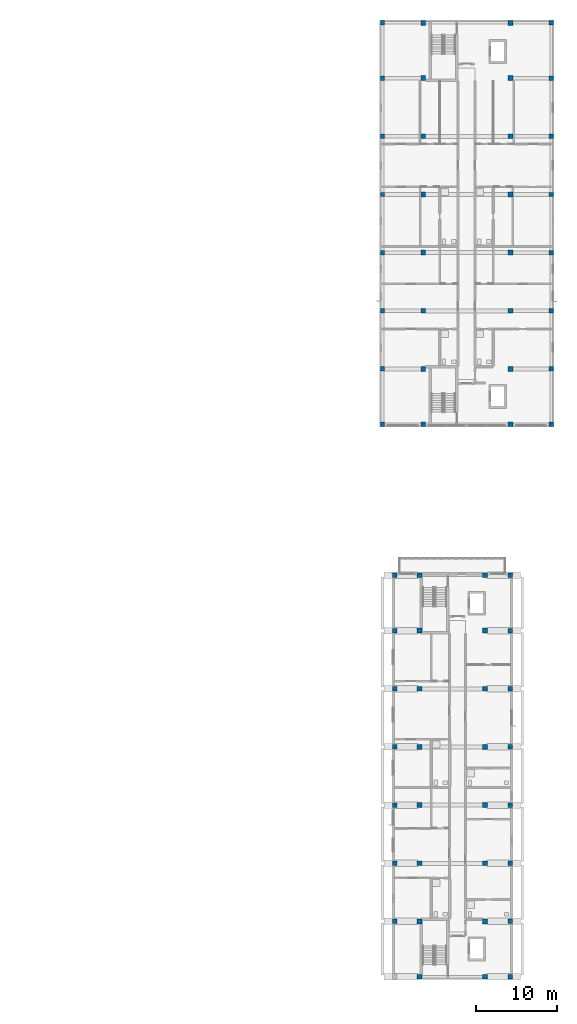
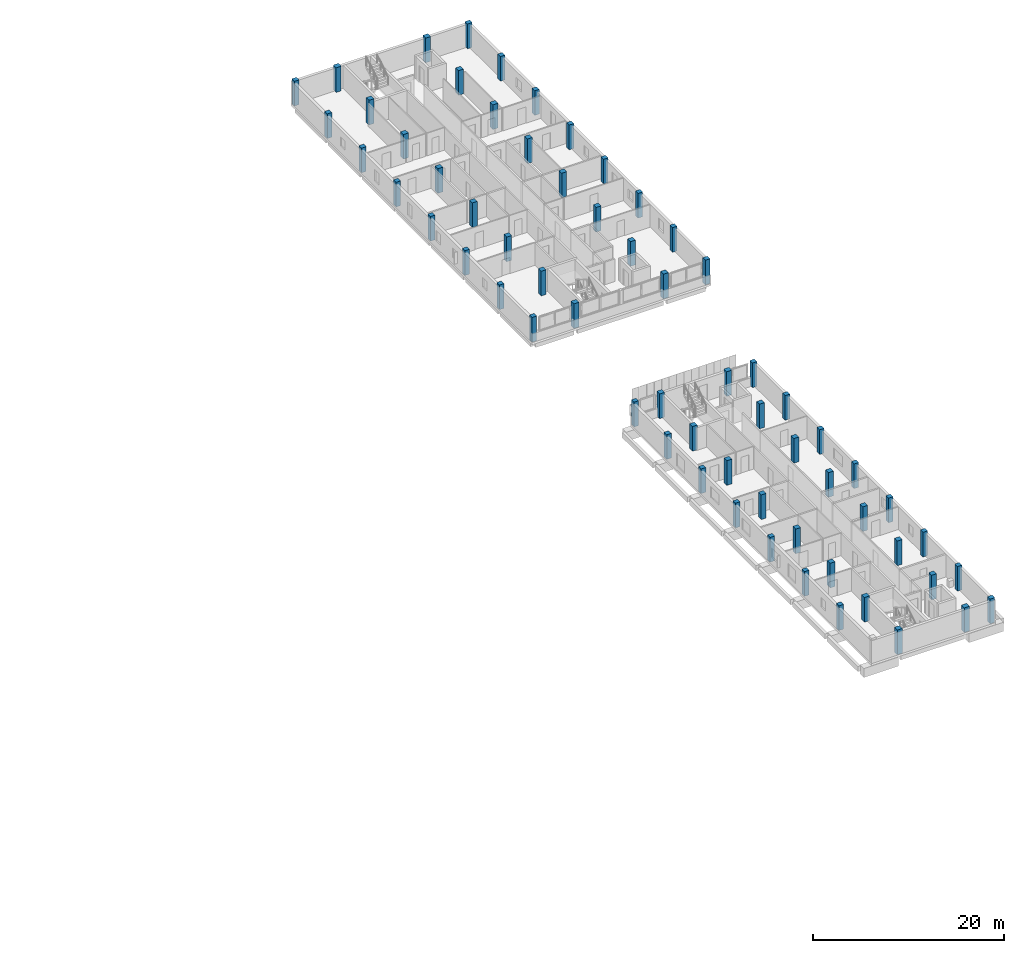
# One storey, part 2 of 38: 63 columns.
"""IFC4 building model written with IfcOpenShell, lengths in metres."""

import ifcopenshell
import ifcopenshell.guid

model = None  # the IFC model being written
_history = None  # IfcOwnerHistory: only IFC2X3 demands one
_inside = {}  # id of a spatial element -> (the spatial element, [elements in it])
_under = {}  # id of a project, library or spatial element -> (it, [spatial elements below it])
_declared = {}  # id of a project -> (the project, [libraries it declares])
_typed = {}  # id of a type object -> (the type object, [elements of that type])
_made_of = {}  # id of a material, layer set ... -> (it, [elements and type objects made of it])


def new_model(schema):
    """Start an empty IFC model of exactly this schema.

    Asked for "IFC4X3", IfcOpenShell would pick the latest addendum, in which some entities
    have other attributes; the version numbers below select the first issue.
    IFC2X3 requires an IfcOwnerHistory on every rooted entity: one is made here for all.
    """
    global model, _history
    if schema == "IFC4X3":
        model = ifcopenshell.file(schema_version=(4, 3, 0, 0))
    else:
        model = ifcopenshell.file(schema=schema)
    _inside.clear()
    _under.clear()
    _declared.clear()
    _typed.clear()
    _made_of.clear()
    _history = None
    if model.schema == "IFC2X3":
        org = make("IfcOrganization", Name="unknown")
        user = make(
            "IfcPersonAndOrganization",
            ThePerson=make("IfcPerson", FamilyName="unknown"),
            TheOrganization=org,
        )
        app = make(
            "IfcApplication",
            ApplicationDeveloper=org,
            Version="unknown",
            ApplicationFullName="unknown",
            ApplicationIdentifier="unknown",
        )
        _history = make(
            "IfcOwnerHistory",
            OwningUser=user,
            OwningApplication=app,
            ChangeAction="ADDED",
            CreationDate=0,
        )
    return model


def make(cls, **values):
    """One entity of the class cls with the attributes given. An attribute that is None is left unset."""
    return model.create_entity(
        cls, **{name: value for name, value in values.items() if value is not None}
    )


def rooted(cls, **values):
    """An entity with a GlobalId (a new one), such as an element, a storey or a relation."""
    return make(cls, GlobalId=ifcopenshell.guid.new(), OwnerHistory=_history, **values)


def si_unit(unit_type, name, prefix=None):
    """IfcSIUnit, for example si_unit("LENGTHUNIT", "METRE", prefix="MILLI")."""
    return make("IfcSIUnit", UnitType=unit_type, Prefix=prefix, Name=name)


def derived_unit(unit_type, elements):
    """IfcDerivedUnit: a product of units, each with its exponent."""
    return make(
        "IfcDerivedUnit",
        Elements=[
            make("IfcDerivedUnitElement", Unit=unit, Exponent=power)
            for unit, power in elements
        ],
        UnitType=unit_type,
    )


def assignment(units):
    """IfcUnitAssignment: the units of a project."""
    return None if units is None else make("IfcUnitAssignment", Units=units)


def point(xyz):
    """IfcCartesianPoint."""
    return None if xyz is None else make("IfcCartesianPoint", Coordinates=xyz)


def direction(xyz):
    """IfcDirection."""
    return None if xyz is None else make("IfcDirection", DirectionRatios=xyz)


def frame(location, z_axis=None, x_axis=None):
    """IfcAxis2Placement3D, a coordinate frame: its origin and axes. An axis left out is left unset."""
    return make(
        "IfcAxis2Placement3D",
        Location=point(location),
        Axis=direction(z_axis),
        RefDirection=direction(x_axis),
    )


def frame_2d(location, x_axis=None):
    """IfcAxis2Placement2D, a coordinate frame in the plane: its origin and x axis."""
    return make(
        "IfcAxis2Placement2D", Location=point(location), RefDirection=direction(x_axis)
    )


def origin():
    """The frame at (0, 0, 0) with its axes left unset."""
    return frame((0.0, 0.0, 0.0))


def origin_2d():
    """The frame at (0, 0) in the plane with its x axis left unset."""
    return frame_2d((0.0, 0.0))


def place(relative_to, where):
    """IfcLocalPlacement: puts the frame where relative to a parent placement (None: the world)."""
    return make(
        "IfcLocalPlacement", PlacementRelTo=relative_to, RelativePlacement=where
    )


def context(
    kind, dimensions, precision=None, world=None, true_north=None, identifier=None
):
    """IfcGeometricRepresentationContext, for example the 3D "Model" context."""
    return make(
        "IfcGeometricRepresentationContext",
        ContextIdentifier=identifier,
        ContextType=kind,
        CoordinateSpaceDimension=dimensions,
        Precision=precision,
        WorldCoordinateSystem=world,
        TrueNorth=true_north,
    )


def subcontext(parent, identifier, kind, view, scale=None):
    """IfcGeometricRepresentationSubContext, for example "Body" below "Model"."""
    return make(
        "IfcGeometricRepresentationSubContext",
        ContextIdentifier=identifier,
        ContextType=kind,
        ParentContext=parent,
        TargetScale=scale,
        TargetView=view,
    )


def project(units=None, contexts=None):
    """IfcProject with its units and contexts."""
    return rooted(
        "IfcProject",
        Name="project",
        RepresentationContexts=contexts,
        UnitsInContext=assignment(units),
    )


def spatial(cls, under=None, at=None, **own):
    """A site, building, storey or space (cls), placed at a placement, below another one or the project."""
    s = rooted(cls, ObjectPlacement=at, **own)
    if under is not None:
        _under.setdefault(under.id(), (under, []))[1].append(s)
    return s


def profile(cls, at=None, kind="AREA", **sizes):
    """A parametric profile (cls). Its sizes go by their IFC names, for example OverallWidth=200.0."""
    return make(cls, ProfileType=kind, Position=at, **sizes)


def rectangle(**sizes):
    """IfcRectangleProfileDef."""
    return profile("IfcRectangleProfileDef", **sizes)


def extrude(swept, where, along, depth):
    """IfcExtrudedAreaSolid: the profile swept, set in the frame where, extruded along a direction by depth."""
    return make(
        "IfcExtrudedAreaSolid",
        SweptArea=swept,
        Position=where,
        ExtrudedDirection=direction(along),
        Depth=depth,
    )


def shape(context_of_items, identifier, shape_type, items):
    """IfcShapeRepresentation: the items that make up one representation, for example the "Body"."""
    return make(
        "IfcShapeRepresentation",
        ContextOfItems=context_of_items,
        RepresentationIdentifier=identifier,
        RepresentationType=shape_type,
        Items=items,
    )


def material(Name=None, Category=None):
    """IfcMaterial."""
    return make("IfcMaterial", Name=Name, Category=Category)


def material_profile(
    of_material, cross_section, Name=None, Category=None, Priority=None
):
    """IfcMaterialProfile: a cross section and its material."""
    return make(
        "IfcMaterialProfile",
        Name=Name,
        Material=of_material,
        Profile=cross_section,
        Priority=Priority,
        Category=Category,
    )


def profile_set(profiles, Name=None, composite=None):
    """IfcMaterialProfileSet."""
    return make(
        "IfcMaterialProfileSet",
        Name=Name,
        MaterialProfiles=profiles,
        CompositeProfile=composite,
    )


def made_of(thing, what):
    """Note that an element or type object is made of a material, layer set ...; save() writes the relation."""
    if what is not None:
        _made_of.setdefault(what.id(), (what, []))[1].append(thing)
    return thing


def type_object(cls, material=None, **own):
    """A type object (cls), such as IfcWallType, which elements share."""
    return made_of(rooted(cls, **own), material)


def element(
    cls,
    number,
    at=None,
    inside=None,
    cuts=None,
    type_object=None,
    material=None,
    context=None,
    identifier="Body",
    shape_type=None,
    held_by="IfcProductDefinitionShape",
    body=None,
    shapes=None,
    **own,
):
    """One element of the class cls, such as IfcWall. Its Tag is "e" and its number.

    at: its placement. inside: the storey or other place that contains it. cuts: it is an
    opening in that element (IfcRelVoidsElement). A single representation is given by context,
    identifier, shape_type and body (its items); several are given by shapes. held_by: the class
    of the entity that holds the representations. save() writes the other relations.
    """
    e = rooted(cls, Tag="e%d" % number, ObjectPlacement=at, **own)
    if body is not None:
        shapes = [shape(context, identifier, shape_type, body)]
    if shapes is not None:
        e.Representation = make(held_by, Representations=shapes)
    if inside is not None:
        _inside.setdefault(inside.id(), (inside, []))[1].append(e)
    if cuts is not None:
        rooted(
            "IfcRelVoidsElement", RelatingBuildingElement=cuts, RelatedOpeningElement=e
        )
    if type_object is not None:
        _typed.setdefault(type_object.id(), (type_object, []))[1].append(e)
    return made_of(e, material)


def aggregate(whole, parts):
    """IfcRelAggregates: a whole, such as a stair, and the parts it consists of."""
    return rooted("IfcRelAggregates", RelatingObject=whole, RelatedObjects=parts)


def save(model, path):
    """Write the relations noted so far, then the file.

    IfcRelAggregates (storeys below a building ...), IfcRelContainedInSpatialStructure (elements
    in a storey), IfcRelDefinesByType, IfcRelAssociatesMaterial and IfcRelDeclares: one each for
    every whole, place, type object, material and project.
    """
    for whole, parts in _under.values():
        aggregate(whole, parts)
    for where, things in _inside.values():
        rooted(
            "IfcRelContainedInSpatialStructure",
            RelatedElements=things,
            RelatingStructure=where,
        )
    for kind, things in _typed.values():
        rooted("IfcRelDefinesByType", RelatedObjects=things, RelatingType=kind)
    for what, things in _made_of.values():
        rooted("IfcRelAssociatesMaterial", RelatedObjects=things, RelatingMaterial=what)
    for by, libraries in _declared.values():
        rooted("IfcRelDeclares", RelatingContext=by, RelatedDefinitions=libraries)
    model.write(path)


model = new_model("IFC4")

# Units and contexts
model_context = context("Model", 3, precision=1e-05, world=origin(), true_north=direction((0.0, 1.0)))
body_context = subcontext(model_context, "Body", "Model", "MODEL_VIEW")
ifc_project = project(units=[si_unit("LENGTHUNIT", "METRE"), si_unit("AREAUNIT", "SQUARE_METRE"), si_unit("VOLUMEUNIT", "CUBIC_METRE"), si_unit("PLANEANGLEUNIT", "RADIAN"), si_unit("MASSUNIT", "GRAM", prefix="KILO"), derived_unit("THERMALTRANSMITTANCEUNIT", [(si_unit("MASSUNIT", "GRAM", prefix="KILO"), 1), (si_unit("TIMEUNIT", "SECOND"), -3), (si_unit("THERMODYNAMICTEMPERATUREUNIT", "KELVIN"), -1)])], contexts=[model_context])

# Site, building, storey
site_placement = place(None, origin())
site = spatial("IfcSite", under=ifc_project, at=site_placement, CompositionType="ELEMENT")
building_placement = place(site_placement, origin())
building = spatial("IfcBuilding", under=site, at=building_placement, Name="Ochrekiln Boulevard Commons", CompositionType="ELEMENT")
storey_placement = place(building_placement, frame((0.0, 0.0, 24.675048828125)))
storey = spatial("IfcBuildingStorey", under=building, at=storey_placement, Name="L07", CompositionType="ELEMENT", Elevation=24.675048828125)

# Columns
ifc_material_1 = material(Name="Concrete C35/45", Category="concrete")
ifc_material_profile_1 = material_profile(ifc_material_1, rectangle(XDim=0.550048828125, YDim=0.550048828125, at=origin_2d()), Name="RC-COL-550x550")
ifc_profile_set_1 = profile_set([ifc_material_profile_1], Name="Concrete C35/45")
column_type_1 = type_object("IfcColumnType", Name="COL-RC-550", PredefinedType="COLUMN", material=ifc_profile_set_1)
for number, where, z_axis, x_axis, name in (
    (1, (151.550048828125, 68.75, 0.0), (0.0, 0.0, 1.0), (1.0, 0.0, 0.0), "Block B L07 Column C-550 (1)"),
    (2, (151.550048828125, 75.60009765625, 0.0), (0.0, 0.0, 1.0), (1.0, 0.0, 0.0), "Block B L07 Column C-550 (2)"),
    (3, (151.550048828125, 82.800048828125, 0.0), (0.0, 0.0, 1.0), (1.0, 0.0, 0.0), "Block B L07 Column C-550 (3)"),
    (4, (151.550048828125, 90.0, 0.0), (0.0, 0.0, 1.0), (1.0, 0.0, 0.0), "Block B L07 Column C-550 (4)"),
    (5, (151.550048828125, 97.199951171875, 0.0), (0.0, 0.0, 1.0), (1.0, 0.0, 0.0), "Block B L07 Column C-550 (5)"),
    (6, (151.550048828125, 104.39990234375, 0.0), (0.0, 0.0, 1.0), (1.0, 0.0, 0.0), "Block B L07 Column C-550 (6)"),
    (7, (151.550048828125, 111.60009765625, 0.0), (0.0, 0.0, 1.0), (1.0, 0.0, 0.0), "Block B L07 Column C-550 (7)"),
    (8, (151.550048828125, 118.449951171875, 0.0), (0.0, 0.0, 1.0), (1.0, 0.0, 0.0), "Block B L07 Column C-550 (8)"),
    (9, (172.449951171875, 68.75, 0.0), (0.0, 0.0, 1.0), (1.0, 0.0, 0.0), "Block B L07 Column C-550 (25)"),
    (10, (172.449951171875, 75.60009765625, 0.0), (0.0, 0.0, 1.0), (1.0, 0.0, 0.0), "Block B L07 Column C-550 (26)"),
    (11, (172.449951171875, 82.800048828125, 0.0), (0.0, 0.0, 1.0), (1.0, 0.0, 0.0), "Block B L07 Column C-550 (27)"),
    (12, (172.449951171875, 90.0, 0.0), (0.0, 0.0, 1.0), (1.0, 0.0, 0.0), "Block B L07 Column C-550 (28)"),
    (13, (172.449951171875, 97.199951171875, 0.0), (0.0, 0.0, 1.0), (1.0, 0.0, 0.0), "Block B L07 Column C-550 (29)"),
    (14, (172.449951171875, 104.39990234375, 0.0), (0.0, 0.0, 1.0), (1.0, 0.0, 0.0), "Block B L07 Column C-550 (30)"),
    (15, (172.449951171875, 111.60009765625, 0.0), (0.0, 0.0, 1.0), (1.0, 0.0, 0.0), "Block B L07 Column C-550 (31)"),
    (16, (172.449951171875, 118.449951171875, 0.0), (0.0, 0.0, 1.0), (1.0, 0.0, 0.0), "Block B L07 Column C-550 (32)"),
    (17, (153.050048828125, 7.199951171875, 0.0), (0.0, 0.0, 1.0), (1.0, 0.0, 0.0), "Block C L07 Column C-550 (2)"),
    (18, (153.050048828125, 14.39990234375, 0.0), (0.0, 0.0, 1.0), (1.0, 0.0, 0.0), "Block C L07 Column C-550 (3)"),
    (19, (153.050048828125, 21.60009765625, 0.0), (0.0, 0.0, 1.0), (1.0, 0.0, 0.0), "Block C L07 Column C-550 (4)"),
    (20, (153.050048828125, 28.800048828125, 0.0), (0.0, 0.0, 1.0), (1.0, 0.0, 0.0), "Block C L07 Column C-550 (5)"),
    (21, (153.050048828125, 36.0, 0.0), (0.0, 0.0, 1.0), (1.0, 0.0, 0.0), "Block C L07 Column C-550 (6)"),
    (22, (153.050048828125, 43.199951171875, 0.0), (0.0, 0.0, 1.0), (1.0, 0.0, 0.0), "Block C L07 Column C-550 (7)"),
    (23, (153.050048828125, 50.050048828125, 0.0), (0.0, 0.0, 1.0), (1.0, 0.0, 0.0), "Block C L07 Column C-550 (8)"),
    (24, (167.35009765625, 0.35009765625, 0.0), (0.0, 0.0, 1.0), (1.0, 0.0, 0.0), "Block C L07 Column C-550 (25)"),
    (25, (167.35009765625, 7.199951171875, 0.0), (0.0, 0.0, 1.0), (1.0, 0.0, 0.0), "Block C L07 Column C-550 (26)"),
    (26, (167.35009765625, 14.39990234375, 0.0), (0.0, 0.0, 1.0), (1.0, 0.0, 0.0), "Block C L07 Column C-550 (27)"),
    (27, (167.35009765625, 21.60009765625, 0.0), (0.0, 0.0, 1.0), (1.0, 0.0, 0.0), "Block C L07 Column C-550 (28)"),
    (28, (167.35009765625, 28.800048828125, 0.0), (0.0, 0.0, 1.0), (1.0, 0.0, 0.0), "Block C L07 Column C-550 (29)"),
    (29, (167.35009765625, 36.0, 0.0), (0.0, 0.0, 1.0), (1.0, 0.0, 0.0), "Block C L07 Column C-550 (30)"),
    (30, (167.35009765625, 43.199951171875, 0.0), (0.0, 0.0, 1.0), (1.0, 0.0, 0.0), "Block C L07 Column C-550 (31)"),
    (31, (167.35009765625, 50.050048828125, 0.0), (0.0, 0.0, 1.0), (1.0, 0.0, 0.0), "Block C L07 Column C-550 (32)"),
):
    element("IfcColumn", number, at=place(storey_placement, frame(where, z_axis=z_axis, x_axis=x_axis)), inside=storey, type_object=column_type_1, Name=name, PredefinedType="COLUMN", context=body_context, shape_type="SweptSolid", body=[
        extrude(rectangle(XDim=0.550048828125, YDim=0.550048828125, at=origin_2d()), origin(), (0.0, 0.0, 1.0), 3.14990234375),
    ])
ifc_material_2 = material(Name="Concrete C40/50", Category="concrete")
ifc_material_profile_2 = material_profile(ifc_material_2, rectangle(XDim=0.60009765625, YDim=0.60009765625, at=origin_2d()), Name="RC-COL-600x600")
ifc_profile_set_2 = profile_set([ifc_material_profile_2], Name="Concrete C40/50")
column_type_2 = type_object("IfcColumnType", Name="COL-RC-600", PredefinedType="COLUMN", material=ifc_profile_set_2)
for number, where, z_axis, x_axis, name in (
    (32, (156.60009765625, 68.75, 0.0), (0.0, 0.0, 1.0), (1.0, 0.0, 0.0), "Block B L07 Column C-600 (9)"),
    (33, (156.60009765625, 75.60009765625, 0.0), (0.0, 0.0, 1.0), (1.0, 0.0, 0.0), "Block B L07 Column C-600 (10)"),
    (34, (156.60009765625, 82.800048828125, 0.0), (0.0, 0.0, 1.0), (1.0, 0.0, 0.0), "Block B L07 Column C-600 (11)"),
    (35, (156.60009765625, 90.0, 0.0), (0.0, 0.0, 1.0), (1.0, 0.0, 0.0), "Block B L07 Column C-600 (12)"),
    (36, (156.60009765625, 97.199951171875, 0.0), (0.0, 0.0, 1.0), (1.0, 0.0, 0.0), "Block B L07 Column C-600 (13)"),
    (37, (156.60009765625, 104.39990234375, 0.0), (0.0, 0.0, 1.0), (1.0, 0.0, 0.0), "Block B L07 Column C-600 (14)"),
    (38, (156.60009765625, 111.60009765625, 0.0), (0.0, 0.0, 1.0), (1.0, 0.0, 0.0), "Block B L07 Column C-600 (15)"),
    (39, (156.60009765625, 118.449951171875, 0.0), (0.0, 0.0, 1.0), (1.0, 0.0, 0.0), "Block B L07 Column C-600 (16)"),
    (40, (167.39990234375, 68.75, 0.0), (0.0, 0.0, 1.0), (1.0, 0.0, 0.0), "Block B L07 Column C-600 (17)"),
    (41, (167.39990234375, 75.60009765625, 0.0), (0.0, 0.0, 1.0), (1.0, 0.0, 0.0), "Block B L07 Column C-600 (18)"),
    (42, (167.39990234375, 82.800048828125, 0.0), (0.0, 0.0, 1.0), (1.0, 0.0, 0.0), "Block B L07 Column C-600 (19)"),
    (43, (167.39990234375, 90.0, 0.0), (0.0, 0.0, 1.0), (1.0, 0.0, 0.0), "Block B L07 Column C-600 (20)"),
    (44, (167.39990234375, 97.199951171875, 0.0), (0.0, 0.0, 1.0), (1.0, 0.0, 0.0), "Block B L07 Column C-600 (21)"),
    (45, (167.39990234375, 104.39990234375, 0.0), (0.0, 0.0, 1.0), (1.0, 0.0, 0.0), "Block B L07 Column C-600 (22)"),
    (46, (167.39990234375, 111.60009765625, 0.0), (0.0, 0.0, 1.0), (1.0, 0.0, 0.0), "Block B L07 Column C-600 (23)"),
    (47, (167.39990234375, 118.449951171875, 0.0), (0.0, 0.0, 1.0), (1.0, 0.0, 0.0), "Block B L07 Column C-600 (24)"),
    (48, (156.14990234375, 0.35009765625, 0.0), (0.0, 0.0, 1.0), (1.0, 0.0, 0.0), "Block C L07 Column C-600 (9)"),
    (49, (156.14990234375, 7.199951171875, 0.0), (0.0, 0.0, 1.0), (1.0, 0.0, 0.0), "Block C L07 Column C-600 (10)"),
    (50, (156.14990234375, 14.39990234375, 0.0), (0.0, 0.0, 1.0), (1.0, 0.0, 0.0), "Block C L07 Column C-600 (11)"),
    (51, (156.14990234375, 21.60009765625, 0.0), (0.0, 0.0, 1.0), (1.0, 0.0, 0.0), "Block C L07 Column C-600 (12)"),
    (52, (156.14990234375, 28.800048828125, 0.0), (0.0, 0.0, 1.0), (1.0, 0.0, 0.0), "Block C L07 Column C-600 (13)"),
    (53, (156.14990234375, 36.0, 0.0), (0.0, 0.0, 1.0), (1.0, 0.0, 0.0), "Block C L07 Column C-600 (14)"),
    (54, (156.14990234375, 43.199951171875, 0.0), (0.0, 0.0, 1.0), (1.0, 0.0, 0.0), "Block C L07 Column C-600 (15)"),
    (55, (156.14990234375, 50.050048828125, 0.0), (0.0, 0.0, 1.0), (1.0, 0.0, 0.0), "Block C L07 Column C-600 (16)"),
    (56, (164.25, 0.35009765625, 0.0), (0.0, 0.0, 1.0), (1.0, 0.0, 0.0), "Block C L07 Column C-600 (17)"),
    (57, (164.25, 7.199951171875, 0.0), (0.0, 0.0, 1.0), (1.0, 0.0, 0.0), "Block C L07 Column C-600 (18)"),
    (58, (164.25, 14.39990234375, 0.0), (0.0, 0.0, 1.0), (1.0, 0.0, 0.0), "Block C L07 Column C-600 (19)"),
    (59, (164.25, 21.60009765625, 0.0), (0.0, 0.0, 1.0), (1.0, 0.0, 0.0), "Block C L07 Column C-600 (20)"),
    (60, (164.25, 28.800048828125, 0.0), (0.0, 0.0, 1.0), (1.0, 0.0, 0.0), "Block C L07 Column C-600 (21)"),
    (61, (164.25, 36.0, 0.0), (0.0, 0.0, 1.0), (1.0, 0.0, 0.0), "Block C L07 Column C-600 (22)"),
    (62, (164.25, 43.199951171875, 0.0), (0.0, 0.0, 1.0), (1.0, 0.0, 0.0), "Block C L07 Column C-600 (23)"),
    (63, (164.25, 50.050048828125, 0.0), (0.0, 0.0, 1.0), (1.0, 0.0, 0.0), "Block C L07 Column C-600 (24)"),
):
    element("IfcColumn", number, at=place(storey_placement, frame(where, z_axis=z_axis, x_axis=x_axis)), inside=storey, type_object=column_type_2, Name=name, PredefinedType="COLUMN", context=body_context, shape_type="SweptSolid", body=[
        extrude(rectangle(XDim=0.60009765625, YDim=0.60009765625, at=origin_2d()), origin(), (0.0, 0.0, 1.0), 3.14990234375),
    ])

save(model, "model.ifc")
